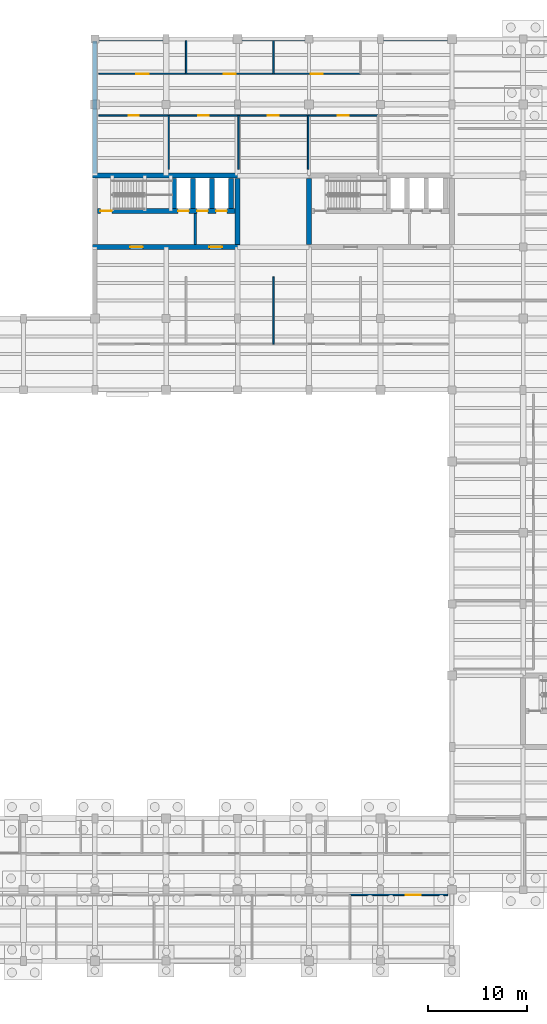
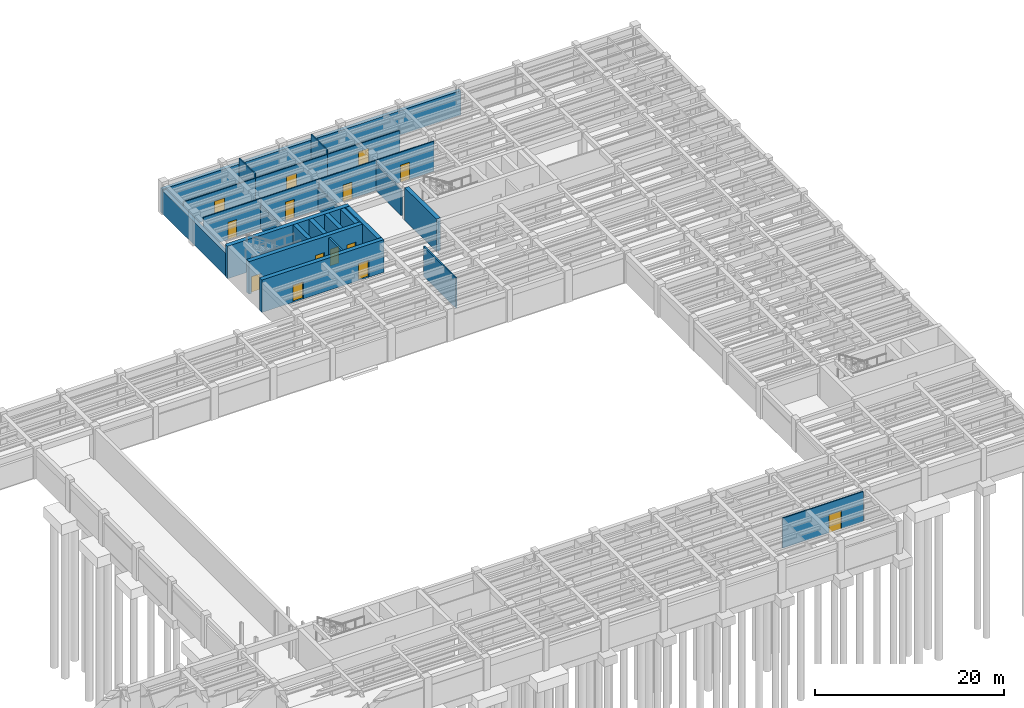
# One storey, part 22 of 33: 26 walls, 14 doors, 14 openings.
"""IFC4 building model written with IfcOpenShell, lengths in metres."""

from ifc_helpers import new_model, si_unit, direction, frame, frame_2d, origin, place, context, subcontext, project, spatial, rectangle, extrude, material, layer, layer_set, type_object, element, fill, save


model = new_model("IFC4")

# Units and contexts
model_context = context("Model", 3, precision=1e-05, world=origin(), true_north=direction((0.0, 1.0)))
body_context = subcontext(model_context, "Body", "Model", "MODEL_VIEW")
ifc_project = project(units=[si_unit("LENGTHUNIT", "METRE"), si_unit("AREAUNIT", "SQUARE_METRE"), si_unit("VOLUMEUNIT", "CUBIC_METRE"), si_unit("PLANEANGLEUNIT", "RADIAN"), si_unit("MASSUNIT", "GRAM", prefix="KILO")], contexts=[model_context])

# Site, building, storey
site_placement = place(None, origin())
site = spatial("IfcSite", under=ifc_project, at=site_placement, CompositionType="ELEMENT")
building_placement = place(site_placement, origin())
building = spatial("IfcBuilding", under=site, at=building_placement, Name="Mithqara Police Headquarters", CompositionType="ELEMENT")
storey_placement = place(building_placement, frame((0.0, 0.0, -4.199951171875)))
storey = spatial("IfcBuildingStorey", under=building, at=storey_placement, Name="B1", CompositionType="ELEMENT", Elevation=-4.199951171875)

# Wall
ifc_material_1 = material(Name="Concrete C40/50", Category="concrete")
ifc_layer_1 = layer(ifc_material_1, 0.239990234375, Name="Concrete C40/50")
ifc_layer_set_1 = layer_set([ifc_layer_1], Name="Concrete C40/50")
wall_type_1 = type_object("IfcWallType", Name="CORE LOBBY WALL 240", PredefinedType="SOLIDWALL", material=ifc_layer_set_1)
wall_1_placement = place(storey_placement, frame((118.72998046875, 93.25, 0.0), z_axis=(0.0, 0.0, 1.0), x_axis=(0.0, 1.0, 0.0)))
element("IfcWall", 1, at=wall_1_placement, inside=storey, type_object=wall_type_1, Name="Core C1 Command West Firefighting Lobby Separation Wall B1", PredefinedType="SOLIDWALL", context=body_context, shape_type="SweptSolid", body=[
    extrude(rectangle(XDim=3.1201171875, YDim=0.239990234375, at=frame_2d((1.56005859375, 0.0))), origin(), (0.0, 0.0, 1.0), 3.849853515625),
])

# Wall, opening, door
ifc_material_2 = material(Name="Gypsum acoustic stud partition", Category="gypsum")
ifc_layer_2 = layer(ifc_material_2, 0.139892578125, Name="Gypsum acoustic stud partition")
ifc_layer_set_2 = layer_set([ifc_layer_2], Name="Gypsum acoustic stud partition")
wall_type_2 = type_object("IfcWallType", Name="PART WALL 140", PredefinedType="PARTITIONING", material=ifc_layer_set_2)
wall_2_placement = place(storey_placement, frame((109.02001953125, 106.280029296875, 0.0), z_axis=(0.0, 0.0, 1.0), x_axis=(1.0, 0.0, 0.0)))
wall_2 = element("IfcWall", 2, at=wall_2_placement, inside=storey, type_object=wall_type_2, Name="B1 Corridor Wall Patrol Car Park", PredefinedType="PARTITIONING", context=body_context, shape_type="SweptSolid", body=[
    extrude(rectangle(XDim=7.031982421875, YDim=0.139892578125, at=frame_2d((3.51611328125, 0.0))), origin(), (0.0, 0.0, 1.0), 3.8798828125),
])
opening_1_placement = place(wall_2_placement, frame((2.99609375, 0.0, 0.0)))
opening_1 = element("IfcOpeningElement", 3, at=opening_1_placement, cuts=wall_2, Name="Opening D-08", PredefinedType="OPENING", context=body_context, shape_type="SweptSolid", body=[
    extrude(rectangle(XDim=1.0400390625, YDim=2.219970703125, at=frame_2d((0.52001953125, 1.10986328125))), frame((0.0, 0.080078125, 0.0), z_axis=(0.0, -1.0, 0.0), x_axis=(1.0, 0.0, 0.0)), (0.0, 0.0, 1.0), 0.159912109375),
])
ifc_material_3 = material(Name="Acoustic solid-core timber leaf", Category="wood")
door_type_1 = type_object("IfcDoorType", Name="INT DOOR 1040X2220", OperationType="NOTDEFINED", PredefinedType="DOOR", material=ifc_material_3)
door_1_placement = place(opening_1_placement, frame((1.0400390625, 0.0, 0.0), z_axis=(0.0, 0.0, 1.0), x_axis=(-1.0, 0.0, 0.0)))
door_1 = element("IfcDoor", 4, at=door_1_placement, inside=storey, type_object=door_type_1, Name="Patrol Car Park Entry Door", OperationType="SINGLE_SWING_LEFT", OverallHeight=2.219970703125, OverallWidth=1.0400390625, PredefinedType="DOOR", context=body_context, shape_type="SweptSolid", body=[
    extrude(rectangle(XDim=1.0400390625, YDim=2.219970703125, at=frame_2d((0.52001953125, 1.10986328125))), frame((0.0, 0.02490234375, 0.0), z_axis=(0.0, -1.0, 0.0), x_axis=(1.0, 0.0, 0.0)), (0.0, 0.0, 1.0), 0.050048828125),
])
fill(opening_1, door_1)

# Wall
wall_3_placement = place(storey_placement, frame((116.052001953125, 100.85009765625, 0.0), z_axis=(0.0, 0.0, 1.0), x_axis=(0.0, 1.0, 0.0)))
element("IfcWall", 5, at=wall_3_placement, inside=storey, type_object=wall_type_2, Name="B1 Room Partition Patrol Car Park", PredefinedType="PARTITIONING", context=body_context, shape_type="SweptSolid", body=[
    extrude(rectangle(XDim=5.429931640625, YDim=0.139892578125, at=frame_2d((2.71484375, 0.0))), origin(), (0.0, 0.0, 1.0), 2.97998046875),
])

# Wall, opening, door
wall_4_placement = place(storey_placement, frame((116.052001953125, 106.280029296875, 0.0), z_axis=(0.0, 0.0, 1.0), x_axis=(1.0, 0.0, 0.0)))
wall_4 = element("IfcWall", 6, at=wall_4_placement, inside=storey, type_object=wall_type_2, Name="B1 Corridor Wall Fleet Dispatch Booth", PredefinedType="PARTITIONING", context=body_context, shape_type="SweptSolid", body=[
    extrude(rectangle(XDim=7.031982421875, YDim=0.139892578125, at=frame_2d((3.51611328125, 0.0))), origin(), (0.0, 0.0, 1.0), 3.8798828125),
])
opening_2_placement = place(wall_4_placement, frame((2.99609375, 0.0, 0.0)))
opening_2 = element("IfcOpeningElement", 7, at=opening_2_placement, cuts=wall_4, Name="Opening D-09", PredefinedType="OPENING", context=body_context, shape_type="SweptSolid", body=[
    extrude(rectangle(XDim=1.0400390625, YDim=2.35009765625, at=frame_2d((0.52001953125, 1.175048828125))), frame((0.0, 0.080078125, 0.0), z_axis=(0.0, -1.0, 0.0), x_axis=(1.0, 0.0, 0.0)), (0.0, 0.0, 1.0), 0.159912109375),
])
door_type_2 = type_object("IfcDoorType", Name="INT DOOR 1040X2350", OperationType="NOTDEFINED", PredefinedType="DOOR", material=ifc_material_3)
door_2_placement = place(opening_2_placement, frame((1.0400390625, 0.0, 0.0), z_axis=(0.0, 0.0, 1.0), x_axis=(-1.0, 0.0, 0.0)))
door_2 = element("IfcDoor", 8, at=door_2_placement, inside=storey, type_object=door_type_2, Name="Fleet Dispatch Booth Entry Door", OperationType="SINGLE_SWING_RIGHT", OverallHeight=2.35009765625, OverallWidth=1.0400390625, PredefinedType="DOOR", context=body_context, shape_type="SweptSolid", body=[
    extrude(rectangle(XDim=1.0400390625, YDim=2.35009765625, at=frame_2d((0.52001953125, 1.175048828125))), frame((0.0, 0.02490234375, 0.0), z_axis=(0.0, -1.0, 0.0), x_axis=(1.0, 0.0, 0.0)), (0.0, 0.0, 1.0), 0.050048828125),
])
fill(opening_2, door_2)

# Wall
wall_5_placement = place(storey_placement, frame((123.083984375, 100.85009765625, 0.0), z_axis=(0.0, 0.0, 1.0), x_axis=(0.0, 1.0, 0.0)))
element("IfcWall", 9, at=wall_5_placement, inside=storey, type_object=wall_type_2, Name="B1 Room Partition Fleet Dispatch Booth", PredefinedType="PARTITIONING", context=body_context, shape_type="SweptSolid", body=[
    extrude(rectangle(XDim=5.429931640625, YDim=0.139892578125, at=frame_2d((2.71484375, 0.0))), origin(), (0.0, 0.0, 1.0), 2.8798828125),
])

# Wall, opening, door
wall_6_placement = place(storey_placement, frame((123.083984375, 106.280029296875, 0.0), z_axis=(0.0, 0.0, 1.0), x_axis=(1.0, 0.0, 0.0)))
wall_6 = element("IfcWall", 10, at=wall_6_placement, inside=storey, type_object=wall_type_2, Name="B1 Corridor Wall Accessible WC", PredefinedType="PARTITIONING", context=body_context, shape_type="SweptSolid", body=[
    extrude(rectangle(XDim=7.031982421875, YDim=0.139892578125, at=frame_2d((3.51611328125, 0.0))), origin(), (0.0, 0.0, 1.0), 3.8798828125),
])
opening_3_placement = place(wall_6_placement, frame((2.966064453125, 0.0, 0.0)))
opening_3 = element("IfcOpeningElement", 11, at=opening_3_placement, cuts=wall_6, Name="Opening D-10", PredefinedType="OPENING", context=body_context, shape_type="SweptSolid", body=[
    extrude(rectangle(XDim=1.10009765625, YDim=2.10009765625, at=frame_2d((0.550048828125, 1.050048828125))), frame((0.0, 0.080078125, 0.0), z_axis=(0.0, -1.0, 0.0), x_axis=(1.0, 0.0, 0.0)), (0.0, 0.0, 1.0), 0.159912109375),
])
door_type_3 = type_object("IfcDoorType", Name="INT DOOR 1100X2100", OperationType="NOTDEFINED", PredefinedType="DOOR", material=ifc_material_3)
door_3_placement = place(opening_3_placement, frame((1.10009765625, 0.0, 0.0), z_axis=(0.0, 0.0, 1.0), x_axis=(-1.0, 0.0, 0.0)))
door_3 = element("IfcDoor", 12, at=door_3_placement, inside=storey, type_object=door_type_3, Name="Accessible WC Entry Door", OperationType="SINGLE_SWING_LEFT", OverallHeight=2.10009765625, OverallWidth=1.10009765625, PredefinedType="DOOR", context=body_context, shape_type="SweptSolid", body=[
    extrude(rectangle(XDim=1.10009765625, YDim=2.10009765625, at=frame_2d((0.550048828125, 1.050048828125))), frame((0.0, 0.02490234375, 0.0), z_axis=(0.0, -1.0, 0.0), x_axis=(1.0, 0.0, 0.0)), (0.0, 0.0, 1.0), 0.050048828125),
])
fill(opening_3, door_3)

# Wall
wall_7_placement = place(storey_placement, frame((130.115966796875, 100.85009765625, 0.0), z_axis=(0.0, 0.0, 1.0), x_axis=(0.0, 1.0, 0.0)))
element("IfcWall", 13, at=wall_7_placement, inside=storey, type_object=wall_type_2, Name="B1 Room Partition Accessible WC", PredefinedType="PARTITIONING", context=body_context, shape_type="SweptSolid", body=[
    extrude(rectangle(XDim=5.429931640625, YDim=0.139892578125, at=frame_2d((2.71484375, 0.0))), origin(), (0.0, 0.0, 1.0), 3.329833984375),
])

# Wall, opening, door
wall_8_placement = place(storey_placement, frame((130.115966796875, 106.280029296875, 0.0), z_axis=(0.0, 0.0, 1.0), x_axis=(1.0, 0.0, 0.0)))
wall_8 = element("IfcWall", 14, at=wall_8_placement, inside=storey, type_object=wall_type_2, Name="B1 Corridor Wall Patrol Car Park", PredefinedType="PARTITIONING", context=body_context, shape_type="SweptSolid", body=[
    extrude(rectangle(XDim=7.031982421875, YDim=0.139892578125, at=frame_2d((3.51611328125, 0.0))), origin(), (0.0, 0.0, 1.0), 3.8798828125),
])
opening_4_placement = place(wall_8_placement, frame((2.966064453125, 0.0, 0.0)))
opening_4 = element("IfcOpeningElement", 15, at=opening_4_placement, cuts=wall_8, Name="Opening D-11", PredefinedType="OPENING", context=body_context, shape_type="SweptSolid", body=[
    extrude(rectangle(XDim=1.10009765625, YDim=2.219970703125, at=frame_2d((0.550048828125, 1.10986328125))), frame((0.0, 0.080078125, 0.0), z_axis=(0.0, -1.0, 0.0), x_axis=(1.0, 0.0, 0.0)), (0.0, 0.0, 1.0), 0.159912109375),
])
door_type_4 = type_object("IfcDoorType", Name="INT DOOR 1100X2220", OperationType="NOTDEFINED", PredefinedType="DOOR", material=ifc_material_3)
door_4_placement = place(opening_4_placement, frame((1.10009765625, 0.0, 0.0), z_axis=(0.0, 0.0, 1.0), x_axis=(-1.0, 0.0, 0.0)))
door_4 = element("IfcDoor", 16, at=door_4_placement, inside=storey, type_object=door_type_4, Name="Patrol Car Park Entry Door", OperationType="SINGLE_SWING_RIGHT", OverallHeight=2.219970703125, OverallWidth=1.10009765625, PredefinedType="DOOR", context=body_context, shape_type="SweptSolid", body=[
    extrude(rectangle(XDim=1.10009765625, YDim=2.219970703125, at=frame_2d((0.550048828125, 1.10986328125))), frame((0.0, 0.02490234375, 0.0), z_axis=(0.0, -1.0, 0.0), x_axis=(1.0, 0.0, 0.0)), (0.0, 0.0, 1.0), 0.050048828125),
])
fill(opening_4, door_4)

wall_9_placement = place(storey_placement, frame((109.02001953125, 110.47998046875, 0.0), z_axis=(0.0, 0.0, 1.0), x_axis=(1.0, 0.0, 0.0)))
wall_9 = element("IfcWall", 17, at=wall_9_placement, inside=storey, type_object=wall_type_2, Name="B1 Corridor Wall Accessible WC", PredefinedType="PARTITIONING", context=body_context, shape_type="SweptSolid", body=[
    extrude(rectangle(XDim=8.7900390625, YDim=0.139892578125, at=frame_2d((4.39501953125, 0.0))), origin(), (0.0, 0.0, 1.0), 3.329833984375),
])
opening_5_placement = place(wall_9_placement, frame((3.784912109375, 0.0, 0.0)))
opening_5 = element("IfcOpeningElement", 18, at=opening_5_placement, cuts=wall_9, Name="Opening D-13", PredefinedType="OPENING", context=body_context, shape_type="SweptSolid", body=[
    extrude(rectangle(XDim=1.219970703125, YDim=2.10009765625, at=frame_2d((0.60986328125, 1.050048828125))), frame((0.0, 0.080078125, 0.0), z_axis=(0.0, -1.0, 0.0), x_axis=(1.0, 0.0, 0.0)), (0.0, 0.0, 1.0), 0.159912109375),
])
door_type_5 = type_object("IfcDoorType", Name="INT DOOR 1220X2100", OperationType="NOTDEFINED", PredefinedType="DOOR", material=ifc_material_3)
door_5_placement = place(opening_5_placement, origin())
door_5 = element("IfcDoor", 19, at=door_5_placement, inside=storey, type_object=door_type_5, Name="Accessible WC Entry Door", OperationType="SINGLE_SWING_RIGHT", OverallHeight=2.10009765625, OverallWidth=1.219970703125, PredefinedType="DOOR", context=body_context, shape_type="SweptSolid", body=[
    extrude(rectangle(XDim=1.219970703125, YDim=2.10009765625, at=frame_2d((0.60986328125, 1.050048828125))), frame((0.0, 0.02490234375, 0.0), z_axis=(0.0, -1.0, 0.0), x_axis=(1.0, 0.0, 0.0)), (0.0, 0.0, 1.0), 0.050048828125),
])
fill(opening_5, door_5)

# Wall
wall_10_placement = place(storey_placement, frame((117.81005859375, 110.47998046875, 0.0), z_axis=(0.0, 0.0, 1.0), x_axis=(0.0, 1.0, 0.0)))
element("IfcWall", 20, at=wall_10_placement, inside=storey, type_object=wall_type_2, Name="B1 Room Partition Accessible WC", PredefinedType="PARTITIONING", context=body_context, shape_type="SweptSolid", body=[
    extrude(rectangle(XDim=3.340087890625, YDim=0.139892578125, at=frame_2d((1.669921875, 0.0))), origin(), (0.0, 0.0, 1.0), 3.8798828125),
])

# Wall, opening, door
wall_11_placement = place(storey_placement, frame((117.81005859375, 110.47998046875, 0.0), z_axis=(0.0, 0.0, 1.0), x_axis=(1.0, 0.0, 0.0)))
wall_11 = element("IfcWall", 21, at=wall_11_placement, inside=storey, type_object=wall_type_2, Name="B1 Corridor Wall Patrol Car Park", PredefinedType="PARTITIONING", context=body_context, shape_type="SweptSolid", body=[
    extrude(rectangle(XDim=8.7900390625, YDim=0.139892578125, at=frame_2d((4.39501953125, 0.0))), origin(), (0.0, 0.0, 1.0), 3.329833984375),
])
opening_6_placement = place(wall_11_placement, frame((3.784912109375, 0.0, 0.0)))
opening_6 = element("IfcOpeningElement", 22, at=opening_6_placement, cuts=wall_11, Name="Opening D-14", PredefinedType="OPENING", context=body_context, shape_type="SweptSolid", body=[
    extrude(rectangle(XDim=1.219970703125, YDim=2.219970703125, at=frame_2d((0.60986328125, 1.10986328125))), frame((0.0, 0.080078125, 0.0), z_axis=(0.0, -1.0, 0.0), x_axis=(1.0, 0.0, 0.0)), (0.0, 0.0, 1.0), 0.159912109375),
])
door_type_6 = type_object("IfcDoorType", Name="INT DOOR 1220X2220", OperationType="NOTDEFINED", PredefinedType="DOOR", material=ifc_material_3)
door_6_placement = place(opening_6_placement, origin())
door_6 = element("IfcDoor", 23, at=door_6_placement, inside=storey, type_object=door_type_6, Name="Patrol Car Park Entry Door", OperationType="SINGLE_SWING_LEFT", OverallHeight=2.219970703125, OverallWidth=1.219970703125, PredefinedType="DOOR", context=body_context, shape_type="SweptSolid", body=[
    extrude(rectangle(XDim=1.219970703125, YDim=2.219970703125, at=frame_2d((0.60986328125, 1.10986328125))), frame((0.0, 0.02490234375, 0.0), z_axis=(0.0, -1.0, 0.0), x_axis=(1.0, 0.0, 0.0)), (0.0, 0.0, 1.0), 0.050048828125),
])
fill(opening_6, door_6)

# Wall
wall_12_placement = place(storey_placement, frame((126.60009765625, 110.47998046875, 0.0), z_axis=(0.0, 0.0, 1.0), x_axis=(0.0, 1.0, 0.0)))
element("IfcWall", 24, at=wall_12_placement, inside=storey, type_object=wall_type_2, Name="B1 Room Partition Patrol Car Park", PredefinedType="PARTITIONING", context=body_context, shape_type="SweptSolid", body=[
    extrude(rectangle(XDim=3.340087890625, YDim=0.139892578125, at=frame_2d((1.669921875, 0.0))), origin(), (0.0, 0.0, 1.0), 3.8798828125),
])

# Wall, opening, door
wall_13_placement = place(storey_placement, frame((126.60009765625, 110.47998046875, 0.0), z_axis=(0.0, 0.0, 1.0), x_axis=(1.0, 0.0, 0.0)))
wall_13 = element("IfcWall", 25, at=wall_13_placement, inside=storey, type_object=wall_type_2, Name="B1 Corridor Wall Fleet Dispatch Booth", PredefinedType="PARTITIONING", context=body_context, shape_type="SweptSolid", body=[
    extrude(rectangle(XDim=8.789794921875, YDim=0.139892578125, at=frame_2d((4.39501953125, 0.0))), origin(), (0.0, 0.0, 1.0), 3.329833984375),
])
opening_7_placement = place(wall_13_placement, frame((3.784912109375, 0.0, 0.0)))
opening_7 = element("IfcOpeningElement", 26, at=opening_7_placement, cuts=wall_13, Name="Opening D-15", PredefinedType="OPENING", context=body_context, shape_type="SweptSolid", body=[
    extrude(rectangle(XDim=1.219970703125, YDim=2.35009765625, at=frame_2d((0.60986328125, 1.175048828125))), frame((0.0, 0.080078125, 0.0), z_axis=(0.0, -1.0, 0.0), x_axis=(1.0, 0.0, 0.0)), (0.0, 0.0, 1.0), 0.159912109375),
])
door_type_7 = type_object("IfcDoorType", Name="INT DOOR 1220X2350", OperationType="NOTDEFINED", PredefinedType="DOOR", material=ifc_material_3)
door_7_placement = place(opening_7_placement, origin())
door_7 = element("IfcDoor", 27, at=door_7_placement, inside=storey, type_object=door_type_7, Name="Fleet Dispatch Booth Entry Door", OperationType="SINGLE_SWING_RIGHT", OverallHeight=2.35009765625, OverallWidth=1.219970703125, PredefinedType="DOOR", context=body_context, shape_type="SweptSolid", body=[
    extrude(rectangle(XDim=1.219970703125, YDim=2.35009765625, at=frame_2d((0.60986328125, 1.175048828125))), frame((0.0, 0.02490234375, 0.0), z_axis=(0.0, -1.0, 0.0), x_axis=(1.0, 0.0, 0.0)), (0.0, 0.0, 1.0), 0.050048828125),
])
fill(opening_7, door_7)

wall_14_placement = place(storey_placement, frame((134.31396484375, 27.679931640625, 0.0), z_axis=(0.0, 0.0, 1.0), x_axis=(1.0, 0.0, 0.0)))
wall_14 = element("IfcWall", 28, at=wall_14_placement, inside=storey, type_object=wall_type_2, Name="B1 Corridor Wall Patrol Car Park", PredefinedType="PARTITIONING", context=body_context, shape_type="SweptSolid", body=[
    extrude(rectangle(XDim=9.865966796875, YDim=0.139892578125, at=frame_2d((4.93310546875, 0.0))), origin(), (0.0, 0.0, 1.0), 3.8798828125),
])
opening_8_placement = place(wall_14_placement, frame((5.65283203125, 0.0, 0.0)))
opening_8 = element("IfcOpeningElement", 29, at=opening_8_placement, cuts=wall_14, Name="Opening D-21", PredefinedType="OPENING", context=body_context, shape_type="SweptSolid", body=[
    extrude(rectangle(XDim=1.52001953125, YDim=2.35009765625, at=frame_2d((0.760009765625, 1.175048828125))), frame((0.0, 0.080078125, 0.0), z_axis=(0.0, -1.0, 0.0), x_axis=(1.0, 0.0, 0.0)), (0.0, 0.0, 1.0), 0.159912109375),
])
ifc_material_4 = material(Name="Bronze anodised aluminium 6063-T6", Category="aluminium")
door_type_8 = type_object("IfcDoorType", Name="INT DOOR 1520X2350", OperationType="NOTDEFINED", PredefinedType="DOOR", material=ifc_material_4)
door_8_placement = place(opening_8_placement, frame((1.52001953125, 0.0, 0.0), z_axis=(0.0, 0.0, 1.0), x_axis=(-1.0, 0.0, 0.0)))
door_8 = element("IfcDoor", 30, at=door_8_placement, inside=storey, type_object=door_type_8, Name="Patrol Car Park Entry Door", OperationType="DOUBLE_DOOR_SINGLE_SWING", OverallHeight=2.35009765625, OverallWidth=1.52001953125, PredefinedType="DOOR", context=body_context, shape_type="SweptSolid", body=[
    extrude(rectangle(XDim=1.52001953125, YDim=2.35009765625, at=frame_2d((0.760009765625, 1.175048828125))), frame((0.0, 0.02490234375, 0.0), z_axis=(0.0, -1.0, 0.0), x_axis=(1.0, 0.0, 0.0)), (0.0, 0.0, 1.0), 0.050048828125),
])
fill(opening_8, door_8)

# Walls
ifc_layer_3 = layer(ifc_material_2, 0.159912109375, Name="Gypsum acoustic stud partition")
ifc_layer_set_3 = layer_set([ifc_layer_3], Name="Gypsum acoustic stud partition")
wall_type_3 = type_object("IfcWallType", Name="PART WALL 160", PredefinedType="PARTITIONING", material=ifc_layer_set_3)
wall_15_placement = place(storey_placement, frame((126.60009765625, 83.219970703125, 0.0), z_axis=(0.0, 0.0, 1.0), x_axis=(0.0, 1.0, 0.0)))
element("IfcWall", 31, at=wall_15_placement, inside=storey, type_object=wall_type_3, Name="B1 Room Partition Fleet Dispatch Booth", PredefinedType="PARTITIONING", context=body_context, shape_type="SweptSolid", body=[
    extrude(rectangle(XDim=6.780029296875, YDim=0.159912109375, at=frame_2d((3.39013671875, 0.0))), origin(), (0.0, 0.0, 1.0), 3.8798828125),
])
ifc_layer_4 = layer(ifc_material_1, 0.419921875, Name="Concrete C40/50")
ifc_layer_set_4 = layer_set([ifc_layer_4], Name="Concrete C40/50")
wall_type_4 = type_object("IfcWallType", Name="RETAINING WALL 420", PredefinedType="USERDEFINED", material=ifc_layer_set_4)
wall_16_placement = place(storey_placement, frame((108.60009765625, 100.429931640625, 0.0), z_axis=(0.0, 0.0, 1.0), x_axis=(0.0, 1.0, 0.0)))
element("IfcWall", 32, at=wall_16_placement, inside=storey, type_object=wall_type_4, Name="B1 Perimeter Retaining Wall 8", ObjectType="RETAININGWALL", PredefinedType="USERDEFINED", context=body_context, shape_type="SweptSolid", body=[
    extrude(rectangle(XDim=13.3701171875, YDim=0.419921875, at=frame_2d((6.68505859375, 0.0))), origin(), (0.0, 0.0, 1.0), 2.97998046875),
])
wall_17_placement = place(storey_placement, frame((108.389892578125, 114.0, 0.0), z_axis=(0.0, 0.0, 1.0), x_axis=(1.0, 0.0, 0.0)))
element("IfcWall", 33, at=wall_17_placement, inside=storey, type_object=wall_type_4, Name="B1 Perimeter Retaining Wall 9", ObjectType="RETAININGWALL", PredefinedType="USERDEFINED", context=body_context, shape_type="SweptSolid", body=[
    extrude(rectangle(XDim=36.420166015625, YDim=0.419921875, at=frame_2d((18.2099609375, 0.0))), origin(), (0.0, 0.0, 1.0), 3.1298828125),
])
ifc_material_5 = material(Name="Concrete C50/60", Category="concrete")
ifc_layer_5 = layer(ifc_material_5, 0.5, Name="Concrete C50/60")
ifc_layer_set_5 = layer_set([ifc_layer_5], Name="Concrete C50/60")
wall_type_5 = type_object("IfcWallType", Name="SHEAR WALL 500", PredefinedType="SHEAR", material=ifc_layer_set_5)
wall_18_placement = place(storey_placement, frame((108.35009765625, 100.199951171875, 0.0), z_axis=(0.0, 0.0, 1.0), x_axis=(1.0, 0.0, 0.0)))
element("IfcWall", 34, at=wall_18_placement, inside=storey, type_object=wall_type_5, Name="Core C1 Command West Shear Wall N", PredefinedType="SHEAR", context=body_context, shape_type="SweptSolid", body=[
    extrude(rectangle(XDim=14.89990234375, YDim=0.5, at=frame_2d((7.449951171875, 0.0))), origin(), (0.0, 0.0, 1.0), 4.199951171875),
])

# Wall, openings, doors
wall_19_placement = place(storey_placement, frame((108.35009765625, 93.0, 0.0), z_axis=(0.0, 0.0, 1.0), x_axis=(1.0, 0.0, 0.0)))
wall_19 = element("IfcWall", 35, at=wall_19_placement, inside=storey, type_object=wall_type_5, Name="Core C1 Command West Shear Wall S", PredefinedType="SHEAR", context=body_context, shape_type="SweptSolid", body=[
    extrude(rectangle(XDim=14.89990234375, YDim=0.5, at=frame_2d((7.449951171875, 0.0))), origin(), (0.0, 0.0, 1.0), 4.199951171875),
])
opening_9_placement = place(wall_19_placement, frame((3.800048828125, 0.0, 0.0)))
opening_9 = element("IfcOpeningElement", 36, at=opening_9_placement, cuts=wall_19, Name="Opening FD-02", PredefinedType="OPENING", context=body_context, shape_type="SweptSolid", body=[
    extrude(rectangle(XDim=1.300048828125, YDim=2.199951171875, at=frame_2d((0.64990234375, 1.10009765625))), frame((0.0, 0.260009765625, 0.0), z_axis=(0.0, -1.0, 0.0), x_axis=(1.0, 0.0, 0.0)), (0.0, 0.0, 1.0), 0.52001953125),
])
opening_10_placement = place(wall_19_placement, frame((11.800048828125, 0.0, 0.0)))
opening_10 = element("IfcOpeningElement", 37, at=opening_10_placement, cuts=wall_19, Name="Opening FD-02", PredefinedType="OPENING", context=body_context, shape_type="SweptSolid", body=[
    extrude(rectangle(XDim=1.300048828125, YDim=2.199951171875, at=frame_2d((0.64990234375, 1.10009765625))), frame((0.0, 0.260009765625, 0.0), z_axis=(0.0, -1.0, 0.0), x_axis=(1.0, 0.0, 0.0)), (0.0, 0.0, 1.0), 0.52001953125),
])
ifc_material_6 = material(Name="Steel S355JR", Category="steel")
door_type_9 = type_object("IfcDoorType", Name="CORE DOOR LOBBY 1300X2200", OperationType="NOTDEFINED", PredefinedType="DOOR", material=ifc_material_6)
door_9_placement = place(opening_9_placement, frame((1.300048828125, 0.0, 0.0), z_axis=(0.0, 0.0, 1.0), x_axis=(-1.0, 0.0, 0.0)))
door_9 = element("IfcDoor", 38, at=door_9_placement, inside=storey, type_object=door_type_9, Name="Core C1 Command West FF Lobby Fire Door B1", OperationType="SINGLE_SWING_LEFT", OverallHeight=2.199951171875, OverallWidth=1.300048828125, PredefinedType="DOOR", context=body_context, shape_type="SweptSolid", body=[
    extrude(rectangle(XDim=1.300048828125, YDim=2.199951171875, at=frame_2d((0.64990234375, 1.10009765625))), frame((0.0, 0.02490234375, 0.0), z_axis=(0.0, -1.0, 0.0), x_axis=(1.0, 0.0, 0.0)), (0.0, 0.0, 1.0), 0.050048828125),
])
fill(opening_9, door_9)
door_10_placement = place(opening_10_placement, frame((1.300048828125, 0.0, 0.0), z_axis=(0.0, 0.0, 1.0), x_axis=(-1.0, 0.0, 0.0)))
door_10 = element("IfcDoor", 39, at=door_10_placement, inside=storey, type_object=door_type_9, Name="Core C1 Command West PA Lobby Fire Door B1", OperationType="SINGLE_SWING_RIGHT", OverallHeight=2.199951171875, OverallWidth=1.300048828125, PredefinedType="DOOR", context=body_context, shape_type="SweptSolid", body=[
    extrude(rectangle(XDim=1.300048828125, YDim=2.199951171875, at=frame_2d((0.64990234375, 1.10009765625))), frame((0.0, 0.02490234375, 0.0), z_axis=(0.0, -1.0, 0.0), x_axis=(1.0, 0.0, 0.0)), (0.0, 0.0, 1.0), 0.050048828125),
])
fill(opening_10, door_10)

# Wall
wall_20_placement = place(storey_placement, frame((123.0, 93.260009765625, 0.0), z_axis=(0.0, 0.0, 1.0), x_axis=(0.0, 1.0, 0.0)))
element("IfcWall", 40, at=wall_20_placement, inside=storey, type_object=wall_type_5, Name="Core C1 Command West Shear Wall E", PredefinedType="SHEAR", context=body_context, shape_type="SweptSolid", body=[
    extrude(rectangle(XDim=6.679931640625, YDim=0.5, at=frame_2d((3.33984375, 0.0))), origin(), (0.0, 0.0, 1.0), 4.199951171875),
])

# Wall, openings, doors
wall_21_placement = place(storey_placement, frame((108.860107421875, 96.6201171875, 0.0), z_axis=(0.0, 0.0, 1.0), x_axis=(1.0, 0.0, 0.0)))
wall_21 = element("IfcWall", 41, at=wall_21_placement, inside=storey, type_object=wall_type_5, Name="Core C1 Command West Shear Wall M", PredefinedType="SHEAR", context=body_context, shape_type="SweptSolid", body=[
    extrude(rectangle(XDim=13.8798828125, YDim=0.5, at=frame_2d((6.93994140625, 0.0))), origin(), (0.0, 0.0, 1.0), 4.199951171875),
])
opening_11_placement = place(wall_21_placement, frame((8.1298828125, 0.0, 0.0)))
opening_11 = element("IfcOpeningElement", 42, at=opening_11_placement, cuts=wall_21, Name="Opening LD-01", PredefinedType="OPENING", context=body_context, shape_type="SweptSolid", body=[
    extrude(rectangle(XDim=1.10009765625, YDim=2.14990234375, at=frame_2d((0.550048828125, 1.074951171875))), frame((0.0, 0.260009765625, 0.0), z_axis=(0.0, -1.0, 0.0), x_axis=(1.0, 0.0, 0.0)), (0.0, 0.0, 1.0), 0.52001953125),
])
opening_12_placement = place(wall_21_placement, frame((10.050048828125, 0.0, 0.0)))
opening_12 = element("IfcOpeningElement", 43, at=opening_12_placement, cuts=wall_21, Name="Opening LD-01", PredefinedType="OPENING", context=body_context, shape_type="SweptSolid", body=[
    extrude(rectangle(XDim=1.10009765625, YDim=2.14990234375, at=frame_2d((0.550048828125, 1.074951171875))), frame((0.0, 0.260009765625, 0.0), z_axis=(0.0, -1.0, 0.0), x_axis=(1.0, 0.0, 0.0)), (0.0, 0.0, 1.0), 0.52001953125),
])
opening_13_placement = place(wall_21_placement, frame((11.969970703125, 0.0, 0.0)))
opening_13 = element("IfcOpeningElement", 44, at=opening_13_placement, cuts=wall_21, Name="Opening LD-01", PredefinedType="OPENING", context=body_context, shape_type="SweptSolid", body=[
    extrude(rectangle(XDim=1.10009765625, YDim=2.14990234375, at=frame_2d((0.550048828125, 1.074951171875))), frame((0.0, 0.260009765625, 0.0), z_axis=(0.0, -1.0, 0.0), x_axis=(1.0, 0.0, 0.0)), (0.0, 0.0, 1.0), 0.52001953125),
])
opening_14_placement = place(wall_21_placement, frame((0.31494140625, 0.0, 0.0)))
opening_14 = element("IfcOpeningElement", 45, at=opening_14_placement, cuts=wall_21, Name="Opening FD-01", PredefinedType="OPENING", context=body_context, shape_type="SweptSolid", body=[
    extrude(rectangle(XDim=1.14990234375, YDim=2.14990234375, at=frame_2d((0.574951171875, 1.074951171875))), frame((0.0, 0.260009765625, 0.0), z_axis=(0.0, -1.0, 0.0), x_axis=(1.0, 0.0, 0.0)), (0.0, 0.0, 1.0), 0.52001953125),
])
door_type_10 = type_object("IfcDoorType", Name="CORE DOOR STAIR 1150X2150", OperationType="NOTDEFINED", PredefinedType="DOOR", material=ifc_material_6)
door_11_placement = place(opening_14_placement, origin())
door_11 = element("IfcDoor", 46, at=door_11_placement, inside=storey, type_object=door_type_10, Name="Stair ST-01 Fire Door B1", OperationType="SINGLE_SWING_RIGHT", OverallHeight=2.14990234375, OverallWidth=1.14990234375, PredefinedType="DOOR", context=body_context, shape_type="SweptSolid", body=[
    extrude(rectangle(XDim=1.14990234375, YDim=2.14990234375, at=frame_2d((0.574951171875, 1.074951171875))), frame((0.0, 0.02490234375, 0.0), z_axis=(0.0, -1.0, 0.0), x_axis=(1.0, 0.0, 0.0)), (0.0, 0.0, 1.0), 0.050048828125),
])
fill(opening_14, door_11)
door_type_11 = type_object("IfcDoorType", Name="LIFT DOOR 1100X2150", OperationType="DOUBLE_DOOR_SLIDING", PredefinedType="DOOR", material=ifc_material_6)
door_12_placement = place(opening_11_placement, frame((1.10009765625, 0.0, 0.0), z_axis=(0.0, 0.0, 1.0), x_axis=(-1.0, 0.0, 0.0)))
door_12 = element("IfcDoor", 47, at=door_12_placement, inside=storey, type_object=door_type_11, Name="Lift Landing Door FL-01-B1", OperationType="DOUBLE_DOOR_SLIDING", OverallHeight=2.14990234375, OverallWidth=1.10009765625, PredefinedType="DOOR", context=body_context, shape_type="SweptSolid", body=[
    extrude(rectangle(XDim=1.10009765625, YDim=2.14990234375, at=frame_2d((0.550048828125, 1.074951171875))), frame((0.0, 0.02490234375, 0.0), z_axis=(0.0, -1.0, 0.0), x_axis=(1.0, 0.0, 0.0)), (0.0, 0.0, 1.0), 0.050048828125),
])
fill(opening_11, door_12)
door_13_placement = place(opening_12_placement, frame((1.10009765625, 0.0, 0.0), z_axis=(0.0, 0.0, 1.0), x_axis=(-1.0, 0.0, 0.0)))
door_13 = element("IfcDoor", 48, at=door_13_placement, inside=storey, type_object=door_type_11, Name="Lift Landing Door LP-01-B1", OperationType="DOUBLE_DOOR_SLIDING", OverallHeight=2.14990234375, OverallWidth=1.10009765625, PredefinedType="DOOR", context=body_context, shape_type="SweptSolid", body=[
    extrude(rectangle(XDim=1.10009765625, YDim=2.14990234375, at=frame_2d((0.550048828125, 1.074951171875))), frame((0.0, 0.02490234375, 0.0), z_axis=(0.0, -1.0, 0.0), x_axis=(1.0, 0.0, 0.0)), (0.0, 0.0, 1.0), 0.050048828125),
])
fill(opening_12, door_13)
door_14_placement = place(opening_13_placement, frame((1.10009765625, 0.0, 0.0), z_axis=(0.0, 0.0, 1.0), x_axis=(-1.0, 0.0, 0.0)))
door_14 = element("IfcDoor", 49, at=door_14_placement, inside=storey, type_object=door_type_11, Name="Lift Landing Door LP-02-B1", OperationType="DOUBLE_DOOR_SLIDING", OverallHeight=2.14990234375, OverallWidth=1.10009765625, PredefinedType="DOOR", context=body_context, shape_type="SweptSolid", body=[
    extrude(rectangle(XDim=1.10009765625, YDim=2.14990234375, at=frame_2d((0.550048828125, 1.074951171875))), frame((0.0, 0.02490234375, 0.0), z_axis=(0.0, -1.0, 0.0), x_axis=(1.0, 0.0, 0.0)), (0.0, 0.0, 1.0), 0.050048828125),
])
fill(opening_13, door_14)

# Walls
for number, where, z_axis, x_axis, name in (
    (50, (116.580078125, 96.8798828125, 0.0), (0.0, 0.0, 1.0), (0.0, 1.0, 0.0), "Core C1 Command West Shear Wall X"),
    (51, (118.5, 96.8798828125, 0.0), (0.0, 0.0, 1.0), (0.0, 1.0, 0.0), "Core C1 Command West Shear Wall L1"),
    (52, (120.419921875, 96.8798828125, 0.0), (0.0, 0.0, 1.0), (0.0, 1.0, 0.0), "Core C1 Command West Shear Wall L2"),
    (53, (122.340087890625, 96.8798828125, 0.0), (0.0, 0.0, 1.0), (0.0, 1.0, 0.0), "Core C1 Command West Shear Wall L3"),
):
    element("IfcWall", number, at=place(storey_placement, frame(where, z_axis=z_axis, x_axis=x_axis)), inside=storey, type_object=wall_type_5, Name=name, PredefinedType="SHEAR", context=body_context, shape_type="SweptSolid", body=[
        extrude(rectangle(XDim=3.06005859375, YDim=0.5, at=frame_2d((1.530029296875, 0.0))), origin(), (0.0, 0.0, 1.0), 4.199951171875),
    ])
wall_22_placement = place(storey_placement, frame((130.199951171875, 93.260009765625, 0.0), z_axis=(0.0, 0.0, 1.0), x_axis=(0.0, 1.0, 0.0)))
element("IfcWall", 54, at=wall_22_placement, inside=storey, type_object=wall_type_5, Name="Core C2 Command East Shear Wall W", PredefinedType="SHEAR", context=body_context, shape_type="SweptSolid", body=[
    extrude(rectangle(XDim=6.679931640625, YDim=0.5, at=frame_2d((3.33984375, 0.0))), origin(), (0.0, 0.0, 1.0), 4.199951171875),
])

save(model, "model.ifc")
